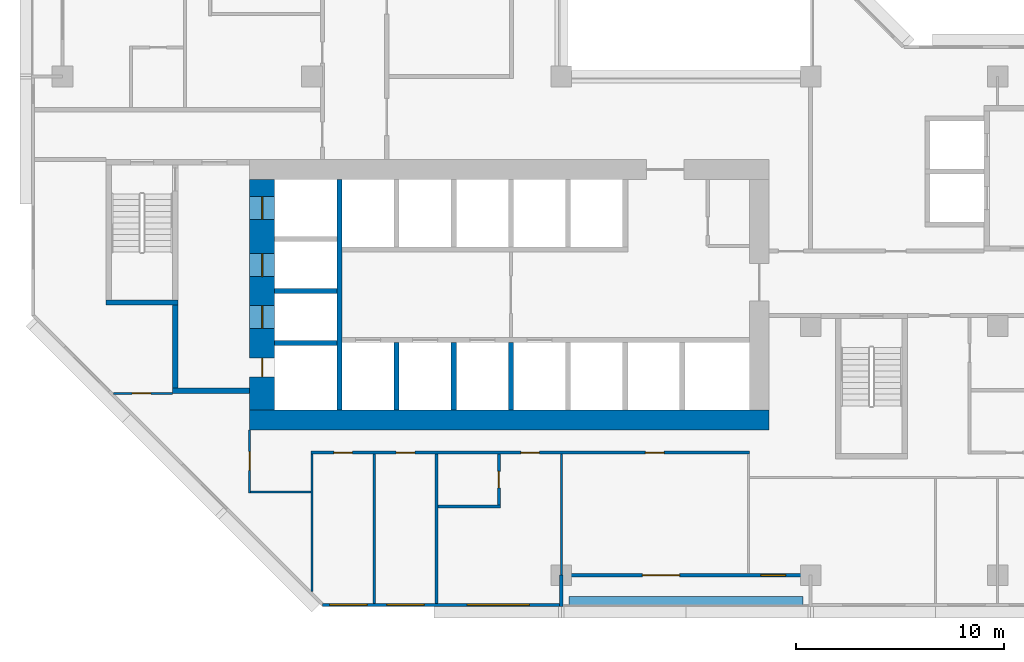
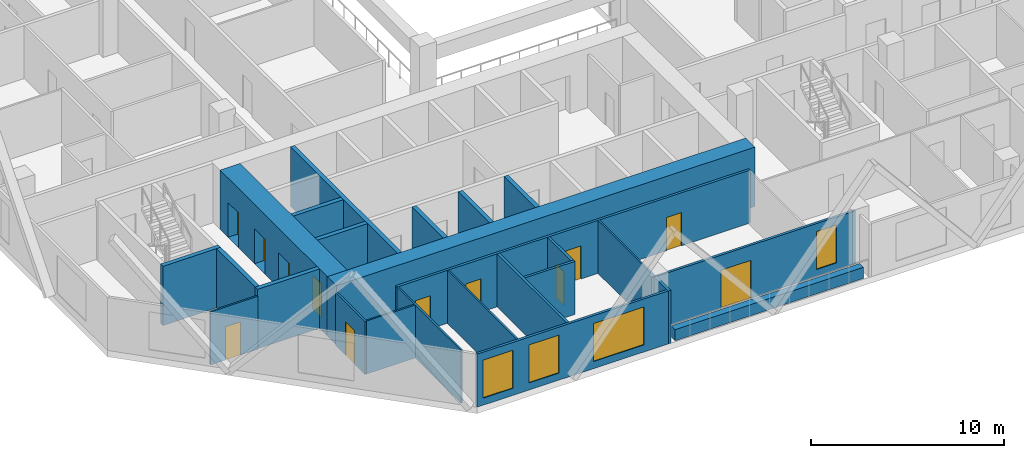
# One storey, part 4 of 15: 25 walls, 12 doors, 4 windows, 16 openings.
"""IFC4 building model written with IfcOpenShell, lengths in metres."""

import ifcopenshell
import ifcopenshell.guid

model = None  # the IFC model being written
_history = None  # IfcOwnerHistory: only IFC2X3 demands one
_inside = {}  # id of a spatial element -> (the spatial element, [elements in it])
_under = {}  # id of a project, library or spatial element -> (it, [spatial elements below it])
_declared = {}  # id of a project -> (the project, [libraries it declares])
_typed = {}  # id of a type object -> (the type object, [elements of that type])
_made_of = {}  # id of a material, layer set ... -> (it, [elements and type objects made of it])


def new_model(schema):
    """Start an empty IFC model of exactly this schema.

    Asked for "IFC4X3", IfcOpenShell would pick the latest addendum, in which some entities
    have other attributes; the version numbers below select the first issue.
    IFC2X3 requires an IfcOwnerHistory on every rooted entity: one is made here for all.
    """
    global model, _history
    if schema == "IFC4X3":
        model = ifcopenshell.file(schema_version=(4, 3, 0, 0))
    else:
        model = ifcopenshell.file(schema=schema)
    _inside.clear()
    _under.clear()
    _declared.clear()
    _typed.clear()
    _made_of.clear()
    _history = None
    if model.schema == "IFC2X3":
        org = make("IfcOrganization", Name="unknown")
        user = make(
            "IfcPersonAndOrganization",
            ThePerson=make("IfcPerson", FamilyName="unknown"),
            TheOrganization=org,
        )
        app = make(
            "IfcApplication",
            ApplicationDeveloper=org,
            Version="unknown",
            ApplicationFullName="unknown",
            ApplicationIdentifier="unknown",
        )
        _history = make(
            "IfcOwnerHistory",
            OwningUser=user,
            OwningApplication=app,
            ChangeAction="ADDED",
            CreationDate=0,
        )
    return model


def make(cls, **values):
    """One entity of the class cls with the attributes given. An attribute that is None is left unset."""
    return model.create_entity(
        cls, **{name: value for name, value in values.items() if value is not None}
    )


def rooted(cls, **values):
    """An entity with a GlobalId (a new one), such as an element, a storey or a relation."""
    return make(cls, GlobalId=ifcopenshell.guid.new(), OwnerHistory=_history, **values)


def si_unit(unit_type, name, prefix=None):
    """IfcSIUnit, for example si_unit("LENGTHUNIT", "METRE", prefix="MILLI")."""
    return make("IfcSIUnit", UnitType=unit_type, Prefix=prefix, Name=name)


def assignment(units):
    """IfcUnitAssignment: the units of a project."""
    return None if units is None else make("IfcUnitAssignment", Units=units)


def point(xyz):
    """IfcCartesianPoint."""
    return None if xyz is None else make("IfcCartesianPoint", Coordinates=xyz)


def direction(xyz):
    """IfcDirection."""
    return None if xyz is None else make("IfcDirection", DirectionRatios=xyz)


def frame(location, z_axis=None, x_axis=None):
    """IfcAxis2Placement3D, a coordinate frame: its origin and axes. An axis left out is left unset."""
    return make(
        "IfcAxis2Placement3D",
        Location=point(location),
        Axis=direction(z_axis),
        RefDirection=direction(x_axis),
    )


def frame_2d(location, x_axis=None):
    """IfcAxis2Placement2D, a coordinate frame in the plane: its origin and x axis."""
    return make(
        "IfcAxis2Placement2D", Location=point(location), RefDirection=direction(x_axis)
    )


def origin():
    """The frame at (0, 0, 0) with its axes left unset."""
    return frame((0.0, 0.0, 0.0))


def place(relative_to, where):
    """IfcLocalPlacement: puts the frame where relative to a parent placement (None: the world)."""
    return make(
        "IfcLocalPlacement", PlacementRelTo=relative_to, RelativePlacement=where
    )


def context(
    kind, dimensions, precision=None, world=None, true_north=None, identifier=None
):
    """IfcGeometricRepresentationContext, for example the 3D "Model" context."""
    return make(
        "IfcGeometricRepresentationContext",
        ContextIdentifier=identifier,
        ContextType=kind,
        CoordinateSpaceDimension=dimensions,
        Precision=precision,
        WorldCoordinateSystem=world,
        TrueNorth=true_north,
    )


def subcontext(parent, identifier, kind, view, scale=None):
    """IfcGeometricRepresentationSubContext, for example "Body" below "Model"."""
    return make(
        "IfcGeometricRepresentationSubContext",
        ContextIdentifier=identifier,
        ContextType=kind,
        ParentContext=parent,
        TargetScale=scale,
        TargetView=view,
    )


def project(units=None, contexts=None):
    """IfcProject with its units and contexts."""
    return rooted(
        "IfcProject",
        Name="project",
        RepresentationContexts=contexts,
        UnitsInContext=assignment(units),
    )


def spatial(cls, under=None, at=None, **own):
    """A site, building, storey or space (cls), placed at a placement, below another one or the project."""
    s = rooted(cls, ObjectPlacement=at, **own)
    if under is not None:
        _under.setdefault(under.id(), (under, []))[1].append(s)
    return s


def profile(cls, at=None, kind="AREA", **sizes):
    """A parametric profile (cls). Its sizes go by their IFC names, for example OverallWidth=200.0."""
    return make(cls, ProfileType=kind, Position=at, **sizes)


def rectangle(**sizes):
    """IfcRectangleProfileDef."""
    return profile("IfcRectangleProfileDef", **sizes)


def extrude(swept, where, along, depth):
    """IfcExtrudedAreaSolid: the profile swept, set in the frame where, extruded along a direction by depth."""
    return make(
        "IfcExtrudedAreaSolid",
        SweptArea=swept,
        Position=where,
        ExtrudedDirection=direction(along),
        Depth=depth,
    )


def shape(context_of_items, identifier, shape_type, items):
    """IfcShapeRepresentation: the items that make up one representation, for example the "Body"."""
    return make(
        "IfcShapeRepresentation",
        ContextOfItems=context_of_items,
        RepresentationIdentifier=identifier,
        RepresentationType=shape_type,
        Items=items,
    )


def material(Name=None, Category=None):
    """IfcMaterial."""
    return make("IfcMaterial", Name=Name, Category=Category)


def layer(
    of_material, thickness, ventilated=None, Name=None, Category=None, Priority=None
):
    """IfcMaterialLayer: one layer of a wall or slab, of a material (None: an air gap)."""
    return make(
        "IfcMaterialLayer",
        Material=of_material,
        LayerThickness=thickness,
        IsVentilated=ventilated,
        Name=Name,
        Category=Category,
        Priority=Priority,
    )


def layer_set(layers, Name=None):
    """IfcMaterialLayerSet."""
    return make("IfcMaterialLayerSet", MaterialLayers=layers, LayerSetName=Name)


def made_of(thing, what):
    """Note that an element or type object is made of a material, layer set ...; save() writes the relation."""
    if what is not None:
        _made_of.setdefault(what.id(), (what, []))[1].append(thing)
    return thing


def type_object(cls, material=None, **own):
    """A type object (cls), such as IfcWallType, which elements share."""
    return made_of(rooted(cls, **own), material)


def element(
    cls,
    number,
    at=None,
    inside=None,
    cuts=None,
    type_object=None,
    material=None,
    context=None,
    identifier="Body",
    shape_type=None,
    held_by="IfcProductDefinitionShape",
    body=None,
    shapes=None,
    **own,
):
    """One element of the class cls, such as IfcWall. Its Tag is "e" and its number.

    at: its placement. inside: the storey or other place that contains it. cuts: it is an
    opening in that element (IfcRelVoidsElement). A single representation is given by context,
    identifier, shape_type and body (its items); several are given by shapes. held_by: the class
    of the entity that holds the representations. save() writes the other relations.
    """
    e = rooted(cls, Tag="e%d" % number, ObjectPlacement=at, **own)
    if body is not None:
        shapes = [shape(context, identifier, shape_type, body)]
    if shapes is not None:
        e.Representation = make(held_by, Representations=shapes)
    if inside is not None:
        _inside.setdefault(inside.id(), (inside, []))[1].append(e)
    if cuts is not None:
        rooted(
            "IfcRelVoidsElement", RelatingBuildingElement=cuts, RelatedOpeningElement=e
        )
    if type_object is not None:
        _typed.setdefault(type_object.id(), (type_object, []))[1].append(e)
    return made_of(e, material)


def fill(opening, filler):
    """IfcRelFillsElement: the door or window that sits in an opening."""
    return rooted(
        "IfcRelFillsElement",
        RelatingOpeningElement=opening,
        RelatedBuildingElement=filler,
    )


def aggregate(whole, parts):
    """IfcRelAggregates: a whole, such as a stair, and the parts it consists of."""
    return rooted("IfcRelAggregates", RelatingObject=whole, RelatedObjects=parts)


def save(model, path):
    """Write the relations noted so far, then the file.

    IfcRelAggregates (storeys below a building ...), IfcRelContainedInSpatialStructure (elements
    in a storey), IfcRelDefinesByType, IfcRelAssociatesMaterial and IfcRelDeclares: one each for
    every whole, place, type object, material and project.
    """
    for whole, parts in _under.values():
        aggregate(whole, parts)
    for where, things in _inside.values():
        rooted(
            "IfcRelContainedInSpatialStructure",
            RelatedElements=things,
            RelatingStructure=where,
        )
    for kind, things in _typed.values():
        rooted("IfcRelDefinesByType", RelatedObjects=things, RelatingType=kind)
    for what, things in _made_of.values():
        rooted("IfcRelAssociatesMaterial", RelatedObjects=things, RelatingMaterial=what)
    for by, libraries in _declared.values():
        rooted("IfcRelDeclares", RelatingContext=by, RelatedDefinitions=libraries)
    model.write(path)


model = new_model("IFC4")

# Units and contexts
model_context = context("Model", 3, precision=1e-05, world=origin(), true_north=direction((0.0, 1.0)))
body_context = subcontext(model_context, "Body", "Model", "MODEL_VIEW")
ifc_project = project(units=[si_unit("LENGTHUNIT", "METRE"), si_unit("AREAUNIT", "SQUARE_METRE"), si_unit("VOLUMEUNIT", "CUBIC_METRE"), si_unit("PLANEANGLEUNIT", "RADIAN"), si_unit("MASSUNIT", "GRAM", prefix="KILO")], contexts=[model_context])

# Site, building, storey
site_placement = place(None, origin())
site = spatial("IfcSite", under=ifc_project, at=site_placement, CompositionType="ELEMENT")
building_placement = place(site_placement, origin())
building = spatial("IfcBuilding", under=site, at=building_placement, Name="Chenar Terraces", CompositionType="ELEMENT")
storey_placement = place(building_placement, frame((0.0, 0.0, 106.89990234375)))
storey = spatial("IfcBuildingStorey", under=building, at=storey_placement, Name="L24", CompositionType="ELEMENT", Elevation=106.89990234375)

# Wall, openings, doors
ifc_material_1 = material(Name="Concrete C70/85", Category="concrete")
ifc_layer_1 = layer(ifc_material_1, 1.199951171875)
ifc_layer_set_1 = layer_set([ifc_layer_1], Name="Concrete C70/85")
wall_type_1 = type_object("IfcWallType", Name="Core wall 1200 Concrete C70/85", PredefinedType="SHEAR", material=ifc_layer_set_1)
wall_1_placement = place(storey_placement, frame((9.60009765625, 7.949951171875, 0.0), z_axis=(0.0, 0.0, 1.0), x_axis=(0.0, 1.0, 0.0)))
wall_1 = element("IfcWall", 1, at=wall_1_placement, inside=storey, type_object=wall_type_1, Name="Core wall W L24", PredefinedType="SHEAR", context=body_context, shape_type="SweptSolid", body=[
    extrude(rectangle(XDim=11.10009765625, YDim=1.199951171875, at=frame_2d((5.550048828125, 0.0))), origin(), (0.0, 0.0, 1.0), 3.75),
])
opening_1_placement = place(wall_1_placement, frame((3.925048828125, 0.0, 0.0)))
opening_1 = element("IfcOpeningElement", 2, at=opening_1_placement, cuts=wall_1, Name="Opening DL24-LD5", PredefinedType="OPENING", context=body_context, shape_type="SweptSolid", body=[
    extrude(rectangle(XDim=1.10009765625, YDim=2.199951171875, at=frame_2d((0.550048828125, 1.10009765625))), frame((0.0, 0.60986328125, 0.0), z_axis=(0.0, -1.0, 0.0), x_axis=(1.0, 0.0, 0.0)), (0.0, 0.0, 1.0), 1.219970703125),
])
opening_2_placement = place(wall_1_placement, frame((6.425048828125, 0.0, 0.0)))
opening_2 = element("IfcOpeningElement", 3, at=opening_2_placement, cuts=wall_1, Name="Opening DL24-LD6", PredefinedType="OPENING", context=body_context, shape_type="SweptSolid", body=[
    extrude(rectangle(XDim=1.10009765625, YDim=2.199951171875, at=frame_2d((0.550048828125, 1.10009765625))), frame((0.0, 0.60986328125, 0.0), z_axis=(0.0, -1.0, 0.0), x_axis=(1.0, 0.0, 0.0)), (0.0, 0.0, 1.0), 1.219970703125),
])
opening_3_placement = place(wall_1_placement, frame((9.175048828125, 0.0, 0.0)))
opening_3 = element("IfcOpeningElement", 4, at=opening_3_placement, cuts=wall_1, Name="Opening DL24-LD7", PredefinedType="OPENING", context=body_context, shape_type="SweptSolid", body=[
    extrude(rectangle(XDim=1.10009765625, YDim=2.199951171875, at=frame_2d((0.550048828125, 1.10009765625))), frame((0.0, 0.60986328125, 0.0), z_axis=(0.0, -1.0, 0.0), x_axis=(1.0, 0.0, 0.0)), (0.0, 0.0, 1.0), 1.219970703125),
])
opening_4_placement = place(wall_1_placement, frame((1.60009765625, 0.0, 0.0)))
opening_4 = element("IfcOpeningElement", 5, at=opening_4_placement, cuts=wall_1, Name="Opening DL24-C4", PredefinedType="OPENING", context=body_context, shape_type="SweptSolid", body=[
    extrude(rectangle(XDim=0.89990234375, YDim=2.10009765625, at=frame_2d((0.449951171875, 1.050048828125))), frame((0.0, 0.60986328125, 0.0), z_axis=(0.0, -1.0, 0.0), x_axis=(1.0, 0.0, 0.0)), (0.0, 0.0, 1.0), 1.219970703125),
])
ifc_material_2 = material(Name="Stainless steel", Category="steel")
door_type_1 = type_object("IfcDoorType", Name="Lift landing door 1100 x 2200 sliding", OperationType="DOUBLE_DOOR_SLIDING", PredefinedType="DOOR", material=ifc_material_2)
door_1_placement = place(opening_1_placement, origin())
door_1 = element("IfcDoor", 6, at=door_1_placement, inside=storey, type_object=door_type_1, Name="Landing door S1", OperationType="DOUBLE_DOOR_SLIDING", OverallHeight=2.199951171875, OverallWidth=1.10009765625, PredefinedType="DOOR", context=body_context, shape_type="SweptSolid", body=[
    extrude(rectangle(XDim=1.10009765625, YDim=2.199951171875, at=frame_2d((0.550048828125, 1.10009765625))), frame((0.0, 0.02490234375, 0.0), z_axis=(0.0, -1.0, 0.0), x_axis=(1.0, 0.0, 0.0)), (0.0, 0.0, 1.0), 0.050048828125),
])
fill(opening_1, door_1)
door_2_placement = place(opening_2_placement, origin())
door_2 = element("IfcDoor", 7, at=door_2_placement, inside=storey, type_object=door_type_1, Name="Landing door F1", OperationType="DOUBLE_DOOR_SLIDING", OverallHeight=2.199951171875, OverallWidth=1.10009765625, PredefinedType="DOOR", context=body_context, shape_type="SweptSolid", body=[
    extrude(rectangle(XDim=1.10009765625, YDim=2.199951171875, at=frame_2d((0.550048828125, 1.10009765625))), frame((0.0, 0.02490234375, 0.0), z_axis=(0.0, -1.0, 0.0), x_axis=(1.0, 0.0, 0.0)), (0.0, 0.0, 1.0), 0.050048828125),
])
fill(opening_2, door_2)
door_3_placement = place(opening_3_placement, origin())
door_3 = element("IfcDoor", 8, at=door_3_placement, inside=storey, type_object=door_type_1, Name="Landing door F2", OperationType="DOUBLE_DOOR_SLIDING", OverallHeight=2.199951171875, OverallWidth=1.10009765625, PredefinedType="DOOR", context=body_context, shape_type="SweptSolid", body=[
    extrude(rectangle(XDim=1.10009765625, YDim=2.199951171875, at=frame_2d((0.550048828125, 1.10009765625))), frame((0.0, 0.02490234375, 0.0), z_axis=(0.0, -1.0, 0.0), x_axis=(1.0, 0.0, 0.0)), (0.0, 0.0, 1.0), 0.050048828125),
])
fill(opening_3, door_3)
ifc_material_3 = material(Name="Steel-framed fire-resisting door leaf", Category="steel")
door_type_2 = type_object("IfcDoorType", Name="Riser fire door FD60 900 x 2100", OperationType="SINGLE_SWING_LEFT", PredefinedType="DOOR", material=ifc_material_3)
door_4_placement = place(opening_4_placement, frame((0.89990234375, 0.0, 0.0), z_axis=(0.0, 0.0, 1.0), x_axis=(-1.0, 0.0, 0.0)))
door_4 = element("IfcDoor", 9, at=door_4_placement, inside=storey, type_object=door_type_2, Name="Riser door DL24-C4", OperationType="SINGLE_SWING_LEFT", OverallHeight=2.10009765625, OverallWidth=0.89990234375, PredefinedType="DOOR", context=body_context, shape_type="SweptSolid", body=[
    extrude(rectangle(XDim=0.89990234375, YDim=2.10009765625, at=frame_2d((0.449951171875, 1.050048828125))), frame((0.0, 0.02490234375, 0.0), z_axis=(0.0, -1.0, 0.0), x_axis=(1.0, 0.0, 0.0)), (0.0, 0.0, 1.0), 0.050048828125),
])
fill(opening_4, door_4)

# Walls
ifc_material_4 = material(Name="Concrete C70/85", Category="concrete")
ifc_layer_2 = layer(ifc_material_4, 0.25)
ifc_layer_set_2 = layer_set([ifc_layer_2], Name="Concrete C70/85")
wall_type_2 = type_object("IfcWallType", Name="Core wall 250 Concrete C70/85", PredefinedType="SHEAR", material=ifc_layer_set_2)
wall_2_placement = place(storey_placement, frame((13.324951171875, 7.949951171875, 0.0), z_axis=(0.0, 0.0, 1.0), x_axis=(0.0, 1.0, 0.0)))
element("IfcWall", 10, at=wall_2_placement, inside=storey, type_object=wall_type_2, Name="Core wall WI L24", PredefinedType="SHEAR", context=body_context, shape_type="SweptSolid", body=[
    extrude(rectangle(XDim=11.10009765625, YDim=0.25, at=frame_2d((5.550048828125, 0.0))), origin(), (0.0, 0.0, 1.0), 3.75),
])
for number, where, z_axis, x_axis, name in (
    (11, (10.199951171875, 11.175048828125, 0.0), (0.0, 0.0, 1.0), (1.0, 0.0, 0.0), "Core wall HW0 L24"),
    (12, (10.199951171875, 13.675048828125, 0.0), (0.0, 0.0, 1.0), (1.0, 0.0, 0.0), "Core wall HW1 L24"),
):
    element("IfcWall", number, at=place(storey_placement, frame(where, z_axis=z_axis, x_axis=x_axis)), inside=storey, type_object=wall_type_2, Name=name, PredefinedType="SHEAR", context=body_context, shape_type="SweptSolid", body=[
        extrude(rectangle(XDim=3.0, YDim=0.25, at=frame_2d((1.5, 0.0))), origin(), (0.0, 0.0, 1.0), 3.75),
    ])
for number, where, z_axis, x_axis, name in (
    (13, (16.074951171875, 7.949951171875, 0.0), (0.0, 0.0, 1.0), (0.0, 1.0, 0.0), "Core wall SS0 L24"),
    (14, (18.824951171875, 7.949951171875, 0.0), (0.0, 0.0, 1.0), (0.0, 1.0, 0.0), "Core wall SS1 L24"),
    (15, (21.574951171875, 7.949951171875, 0.0), (0.0, 0.0, 1.0), (0.0, 1.0, 0.0), "Core wall SS2 L24"),
):
    element("IfcWall", number, at=place(storey_placement, frame(where, z_axis=z_axis, x_axis=x_axis)), inside=storey, type_object=wall_type_2, Name=name, PredefinedType="SHEAR", context=body_context, shape_type="SweptSolid", body=[
        extrude(rectangle(XDim=3.25, YDim=0.25, at=frame_2d((1.625, 0.0))), origin(), (0.0, 0.0, 1.0), 3.75),
    ])
wall_3_placement = place(storey_placement, frame((2.10009765625, 13.125, 0.0), z_axis=(0.0, 0.0, 1.0), x_axis=(1.0, 0.0, 0.0)))
element("IfcWall", 16, at=wall_3_placement, inside=storey, type_object=wall_type_2, Name="Core wall ST1_S L24", PredefinedType="SHEAR", context=body_context, shape_type="SweptSolid", body=[
    extrude(rectangle(XDim=3.449951171875, YDim=0.25, at=frame_2d((1.72509765625, 0.0))), origin(), (0.0, 0.0, 1.0), 3.75),
])
wall_4_placement = place(storey_placement, frame((5.300048828125, 8.875, 0.0), z_axis=(0.0, 0.0, 1.0), x_axis=(1.0, 0.0, 0.0)))
element("IfcWall", 17, at=wall_4_placement, inside=storey, type_object=wall_type_2, Name="Core wall FFL_S L24", PredefinedType="SHEAR", context=body_context, shape_type="SweptSolid", body=[
    extrude(rectangle(XDim=3.699951171875, YDim=0.25, at=frame_2d((1.85009765625, 0.0))), origin(), (0.0, 0.0, 1.0), 3.75),
])
wall_5_placement = place(storey_placement, frame((5.425048828125, 9.0, 0.0), z_axis=(0.0, 0.0, 1.0), x_axis=(0.0, 1.0, 0.0)))
element("IfcWall", 18, at=wall_5_placement, inside=storey, type_object=wall_type_2, Name="Core wall FFL_W L24", PredefinedType="SHEAR", context=body_context, shape_type="SweptSolid", body=[
    extrude(rectangle(XDim=4.0, YDim=0.25, at=frame_2d((2.0, 0.0))), origin(), (0.0, 0.0, 1.0), 3.75),
])
ifc_material_5 = material(Name="Concrete C70/85", Category="concrete")
ifc_layer_3 = layer(ifc_material_5, 0.949951171875)
ifc_layer_set_3 = layer_set([ifc_layer_3], Name="Concrete C70/85")
wall_type_3 = type_object("IfcWallType", Name="Core wall 950 Concrete C70/85", PredefinedType="SHEAR", material=ifc_layer_set_3)
wall_6_placement = place(storey_placement, frame((9.0, 7.47509765625, 0.0), z_axis=(0.0, 0.0, 1.0), x_axis=(1.0, 0.0, 0.0)))
element("IfcWall", 19, at=wall_6_placement, inside=storey, type_object=wall_type_3, Name="Core wall S L24", PredefinedType="SHEAR", context=body_context, shape_type="SweptSolid", body=[
    extrude(rectangle(XDim=25.0, YDim=0.949951171875, at=frame_2d((12.5, 0.0))), origin(), (0.0, 0.0, 1.0), 3.75),
])

# Wall, openings, windows
ifc_material_6 = material(Name="Aluminium framed glazing", Category="aluminium")
ifc_layer_4 = layer(ifc_material_6, 0.14990234375)
ifc_layer_set_4 = layer_set([ifc_layer_4], Name="Aluminium framed glazing")
wall_type_4 = type_object("IfcWallType", Name="Glazed flush facade wall 150", PredefinedType="SOLIDWALL", material=ifc_layer_set_4)
wall_7_placement = place(storey_placement, frame((12.5, -1.425048828125, 0.0), z_axis=(0.0, 0.0, 1.0), x_axis=(1.0, 0.0, 0.0)))
wall_7 = element("IfcWall", 20, at=wall_7_placement, inside=storey, type_object=wall_type_4, Name="Glazed flush facade wall", PredefinedType="SOLIDWALL", context=body_context, shape_type="SweptSolid", body=[
    extrude(rectangle(XDim=11.425048828125, YDim=0.14990234375, at=frame_2d((5.71240234375, 0.0))), origin(), (0.0, 0.0, 1.0), 3.35009765625),
])
opening_5_placement = place(wall_7_placement, frame((0.35009765625, 0.0, 0.449951171875)))
opening_5 = element("IfcOpeningElement", 21, at=opening_5_placement, cuts=wall_7, Name="Opening W180x240", PredefinedType="OPENING", context=body_context, shape_type="SweptSolid", body=[
    extrude(rectangle(XDim=1.800048828125, YDim=2.39990234375, at=frame_2d((0.89990234375, 1.199951171875))), frame((0.0, 0.0849609375, 0.0), z_axis=(0.0, -1.0, 0.0), x_axis=(1.0, 0.0, 0.0)), (0.0, 0.0, 1.0), 0.169921875),
])
opening_6_placement = place(wall_7_placement, frame((3.10009765625, 0.0, 0.449951171875)))
opening_6 = element("IfcOpeningElement", 22, at=opening_6_placement, cuts=wall_7, Name="Opening W180x240", PredefinedType="OPENING", context=body_context, shape_type="SweptSolid", body=[
    extrude(rectangle(XDim=1.800048828125, YDim=2.39990234375, at=frame_2d((0.89990234375, 1.199951171875))), frame((0.0, 0.0849609375, 0.0), z_axis=(0.0, -1.0, 0.0), x_axis=(1.0, 0.0, 0.0)), (0.0, 0.0, 1.0), 0.169921875),
])
opening_7_placement = place(wall_7_placement, frame((6.96240234375, 0.0, 0.449951171875)))
opening_7 = element("IfcOpeningElement", 23, at=opening_7_placement, cuts=wall_7, Name="Opening W300x240", PredefinedType="OPENING", context=body_context, shape_type="SweptSolid", body=[
    extrude(rectangle(XDim=3.0, YDim=2.39990234375, at=frame_2d((1.5, 1.199951171875))), frame((0.0, 0.0849609375, 0.0), z_axis=(0.0, -1.0, 0.0), x_axis=(1.0, 0.0, 0.0)), (0.0, 0.0, 1.0), 0.169921875),
])
ifc_material_7 = material(Name="Low emissivity double glazing, aluminium frame", Category="aluminium")
window_type_1 = type_object("IfcWindowType", Name="Fixed light 1800 x 2400", PartitioningType="SINGLE_PANEL", PredefinedType="WINDOW", material=ifc_material_7)
window_1_placement = place(opening_5_placement, origin())
window_1 = element("IfcWindow", 24, at=window_1_placement, inside=storey, type_object=window_type_1, Name="Window", OverallHeight=2.39990234375, OverallWidth=1.800048828125, PartitioningType="SINGLE_PANEL", PredefinedType="WINDOW", context=body_context, shape_type="SweptSolid", body=[
    extrude(rectangle(XDim=1.800048828125, YDim=2.39990234375, at=frame_2d((0.89990234375, 1.199951171875))), frame((0.0, 0.030029296875, 0.0), z_axis=(0.0, -1.0, 0.0), x_axis=(1.0, 0.0, 0.0)), (0.0, 0.0, 1.0), 0.06005859375),
])
fill(opening_5, window_1)
window_2_placement = place(opening_6_placement, origin())
window_2 = element("IfcWindow", 25, at=window_2_placement, inside=storey, type_object=window_type_1, Name="Window", OverallHeight=2.39990234375, OverallWidth=1.800048828125, PartitioningType="SINGLE_PANEL", PredefinedType="WINDOW", context=body_context, shape_type="SweptSolid", body=[
    extrude(rectangle(XDim=1.800048828125, YDim=2.39990234375, at=frame_2d((0.89990234375, 1.199951171875))), frame((0.0, 0.030029296875, 0.0), z_axis=(0.0, -1.0, 0.0), x_axis=(1.0, 0.0, 0.0)), (0.0, 0.0, 1.0), 0.06005859375),
])
fill(opening_6, window_2)
ifc_material_8 = material(Name="Low emissivity double glazing, aluminium frame", Category="aluminium")
window_type_2 = type_object("IfcWindowType", Name="Fixed light 3000 x 2400", PartitioningType="SINGLE_PANEL", PredefinedType="WINDOW", material=ifc_material_8)
window_3_placement = place(opening_7_placement, origin())
window_3 = element("IfcWindow", 26, at=window_3_placement, inside=storey, type_object=window_type_2, Name="Window", OverallHeight=2.39990234375, OverallWidth=3.0, PartitioningType="SINGLE_PANEL", PredefinedType="WINDOW", context=body_context, shape_type="SweptSolid", body=[
    extrude(rectangle(XDim=3.0, YDim=2.39990234375, at=frame_2d((1.5, 1.199951171875))), frame((0.0, 0.030029296875, 0.0), z_axis=(0.0, -1.0, 0.0), x_axis=(1.0, 0.0, 0.0)), (0.0, 0.0, 1.0), 0.06005859375),
])
fill(opening_7, window_3)

# Wall, openings, window, door
ifc_material_9 = material(Name="Aluminium framed glazing", Category="aluminium")
ifc_layer_5 = layer(ifc_material_9, 0.14990234375)
ifc_layer_set_5 = layer_set([ifc_layer_5], Name="Aluminium framed glazing")
wall_type_5 = type_object("IfcWallType", Name="Glazed loggia back wall 150", PredefinedType="SOLIDWALL", material=ifc_layer_set_5)
wall_8_placement = place(storey_placement, frame((24.074951171875, 0.0, 0.0), z_axis=(0.0, 0.0, 1.0), x_axis=(1.0, 0.0, 0.0)))
wall_8 = element("IfcWall", 27, at=wall_8_placement, inside=storey, type_object=wall_type_5, Name="Glazed loggia back wall", PredefinedType="SOLIDWALL", context=body_context, shape_type="SweptSolid", body=[
    extrude(rectangle(XDim=11.85009765625, YDim=0.14990234375, at=frame_2d((5.925048828125, 0.0))), origin(), (0.0, 0.0, 1.0), 3.35009765625),
])
opening_8_placement = place(wall_8_placement, frame((3.824951171875, 0.0, 0.0)))
opening_8 = element("IfcOpeningElement", 28, at=opening_8_placement, cuts=wall_8, Name="Opening DL24-G6", PredefinedType="OPENING", context=body_context, shape_type="SweptSolid", body=[
    extrude(rectangle(XDim=1.800048828125, YDim=2.39990234375, at=frame_2d((0.89990234375, 1.199951171875))), frame((0.0, 0.0849609375, 0.0), z_axis=(0.0, -1.0, 0.0), x_axis=(1.0, 0.0, 0.0)), (0.0, 0.0, 1.0), 0.169921875),
])
opening_9_placement = place(wall_8_placement, frame((9.52490234375, 0.0, 0.449951171875)))
opening_9 = element("IfcOpeningElement", 29, at=opening_9_placement, cuts=wall_8, Name="Opening W120x240", PredefinedType="OPENING", context=body_context, shape_type="SweptSolid", body=[
    extrude(rectangle(XDim=1.199951171875, YDim=2.39990234375, at=frame_2d((0.60009765625, 1.199951171875))), frame((0.0, 0.0849609375, 0.0), z_axis=(0.0, -1.0, 0.0), x_axis=(1.0, 0.0, 0.0)), (0.0, 0.0, 1.0), 0.169921875),
])
ifc_material_10 = material(Name="Low emissivity double glazing, aluminium frame", Category="aluminium")
window_type_3 = type_object("IfcWindowType", Name="Fixed light 1200 x 2400", PartitioningType="SINGLE_PANEL", PredefinedType="WINDOW", material=ifc_material_10)
window_4_placement = place(opening_9_placement, origin())
window_4 = element("IfcWindow", 30, at=window_4_placement, inside=storey, type_object=window_type_3, Name="Window", OverallHeight=2.39990234375, OverallWidth=1.199951171875, PartitioningType="SINGLE_PANEL", PredefinedType="WINDOW", context=body_context, shape_type="SweptSolid", body=[
    extrude(rectangle(XDim=1.199951171875, YDim=2.39990234375, at=frame_2d((0.60009765625, 1.199951171875))), frame((0.0, 0.030029296875, 0.0), z_axis=(0.0, -1.0, 0.0), x_axis=(1.0, 0.0, 0.0)), (0.0, 0.0, 1.0), 0.06005859375),
])
fill(opening_9, window_4)
ifc_material_11 = material(Name="Low emissivity double glazing, aluminium frame", Category="aluminium")
door_type_3 = type_object("IfcDoorType", Name="Loggia glazed double door 1800 x 2400", OperationType="DOUBLE_DOOR_SINGLE_SWING", PredefinedType="DOOR", material=ifc_material_11)
door_5_placement = place(opening_8_placement, frame((1.800048828125, 0.0, 0.0), z_axis=(0.0, 0.0, 1.0), x_axis=(-1.0, 0.0, 0.0)))
door_5 = element("IfcDoor", 31, at=door_5_placement, inside=storey, type_object=door_type_3, Name="Loggia glazed door", OperationType="DOUBLE_DOOR_SINGLE_SWING", OverallHeight=2.39990234375, OverallWidth=1.800048828125, PredefinedType="DOOR", context=body_context, shape_type="SweptSolid", body=[
    extrude(rectangle(XDim=1.800048828125, YDim=2.39990234375, at=frame_2d((0.89990234375, 1.199951171875))), frame((0.0, 0.02490234375, 0.0), z_axis=(0.0, -1.0, 0.0), x_axis=(1.0, 0.0, 0.0)), (0.0, 0.0, 1.0), 0.050048828125),
])
fill(opening_8, door_5)

# Wall, opening, door
ifc_material_12 = material(Name="Gypsum board on steel studs", Category="steel")
ifc_layer_6 = layer(ifc_material_12, 0.10009765625)
ifc_layer_set_6 = layer_set([ifc_layer_6], Name="Gypsum board on steel studs")
wall_type_6 = type_object("IfcWallType", Name="Gypsum partition 100", PredefinedType="PARTITIONING", material=ifc_layer_set_6)
wall_9_placement = place(storey_placement, frame((2.4609375, 8.75, 0.0), z_axis=(0.0, 0.0, 1.0), x_axis=(1.0, 0.0, 0.0)))
wall_9 = element("IfcWall", 32, at=wall_9_placement, inside=storey, type_object=wall_type_6, Name="Partition L24-010", PredefinedType="PARTITIONING", context=body_context, shape_type="SweptSolid", body=[
    extrude(rectangle(XDim=2.839111328125, YDim=0.10009765625, at=frame_2d((1.41943359375, 0.0))), origin(), (0.0, 0.0, 1.0), 3.35009765625),
])
opening_10_placement = place(wall_9_placement, frame((0.888916015625, 0.0, 0.0)))
opening_10 = element("IfcOpeningElement", 33, at=opening_10_placement, cuts=wall_9, Name="Opening DL24-57", PredefinedType="OPENING", context=body_context, shape_type="SweptSolid", body=[
    extrude(rectangle(XDim=0.89990234375, YDim=2.10009765625, at=frame_2d((0.449951171875, 1.050048828125))), frame((0.0, 0.06005859375, 0.0), z_axis=(0.0, -1.0, 0.0), x_axis=(1.0, 0.0, 0.0)), (0.0, 0.0, 1.0), 0.1201171875),
])
ifc_material_13 = material(Name="Veneered timber door leaf", Category="wood")
door_type_4 = type_object("IfcDoorType", Name="Door 900 x 2100", OperationType="SINGLE_SWING_LEFT", PredefinedType="DOOR", material=ifc_material_13)
door_6_placement = place(opening_10_placement, frame((0.89990234375, 0.0, 0.0), z_axis=(0.0, 0.0, 1.0), x_axis=(-1.0, 0.0, 0.0)))
door_6 = element("IfcDoor", 34, at=door_6_placement, inside=storey, type_object=door_type_4, Name="Door DL24-57", OperationType="SINGLE_SWING_RIGHT", OverallHeight=2.10009765625, OverallWidth=0.89990234375, PredefinedType="DOOR", context=body_context, shape_type="SweptSolid", body=[
    extrude(rectangle(XDim=0.89990234375, YDim=2.10009765625, at=frame_2d((0.449951171875, 1.050048828125))), frame((0.0, 0.02490234375, 0.0), z_axis=(0.0, -1.0, 0.0), x_axis=(1.0, 0.0, 0.0)), (0.0, 0.0, 1.0), 0.050048828125),
])
fill(opening_10, door_6)

wall_10_placement = place(storey_placement, frame((9.0, 3.949951171875, 0.0), z_axis=(0.0, 0.0, 1.0), x_axis=(0.0, 1.0, 0.0)))
wall_10 = element("IfcWall", 35, at=wall_10_placement, inside=storey, type_object=wall_type_6, Name="Partition L24-030", PredefinedType="PARTITIONING", context=body_context, shape_type="SweptSolid", body=[
    extrude(rectangle(XDim=3.050048828125, YDim=0.10009765625, at=frame_2d((1.52490234375, 0.0))), origin(), (0.0, 0.0, 1.0), 3.35009765625),
])
opening_11_placement = place(wall_10_placement, frame((1.10009765625, 0.0, 0.0)))
opening_11 = element("IfcOpeningElement", 36, at=opening_11_placement, cuts=wall_10, Name="Opening DL24-56", PredefinedType="OPENING", context=body_context, shape_type="SweptSolid", body=[
    extrude(rectangle(XDim=0.89990234375, YDim=2.10009765625, at=frame_2d((0.449951171875, 1.050048828125))), frame((0.0, 0.06005859375, 0.0), z_axis=(0.0, -1.0, 0.0), x_axis=(1.0, 0.0, 0.0)), (0.0, 0.0, 1.0), 0.1201171875),
])
door_7_placement = place(opening_11_placement, origin())
door_7 = element("IfcDoor", 37, at=door_7_placement, inside=storey, type_object=door_type_4, Name="Door DL24-56", OperationType="SINGLE_SWING_LEFT", OverallHeight=2.10009765625, OverallWidth=0.89990234375, PredefinedType="DOOR", context=body_context, shape_type="SweptSolid", body=[
    extrude(rectangle(XDim=0.89990234375, YDim=2.10009765625, at=frame_2d((0.449951171875, 1.050048828125))), frame((0.0, 0.02490234375, 0.0), z_axis=(0.0, -1.0, 0.0), x_axis=(1.0, 0.0, 0.0)), (0.0, 0.0, 1.0), 0.050048828125),
])
fill(opening_11, door_7)

# Walls
wall_11_placement = place(storey_placement, frame((9.050048828125, 4.0, 0.0), z_axis=(0.0, 0.0, 1.0), x_axis=(1.0, 0.0, 0.0)))
element("IfcWall", 38, at=wall_11_placement, inside=storey, type_object=wall_type_6, Name="Partition L24-031", PredefinedType="PARTITIONING", context=body_context, shape_type="SweptSolid", body=[
    extrude(rectangle(XDim=2.89990234375, YDim=0.10009765625, at=frame_2d((1.449951171875, 0.0))), origin(), (0.0, 0.0, 1.0), 3.35009765625),
])
wall_12_placement = place(storey_placement, frame((12.0, -0.787841796875, 0.0), z_axis=(0.0, 0.0, 1.0), x_axis=(0.0, 1.0, 0.0)))
element("IfcWall", 39, at=wall_12_placement, inside=storey, type_object=wall_type_6, Name="Partition L24-033", PredefinedType="PARTITIONING", context=body_context, shape_type="SweptSolid", body=[
    extrude(rectangle(XDim=6.61279296875, YDim=0.10009765625, at=frame_2d((3.306396484375, 0.0))), origin(), (0.0, 0.0, 1.0), 3.35009765625),
])
wall_13_placement = place(storey_placement, frame((15.0, -1.35107421875, 0.0), z_axis=(0.0, 0.0, 1.0), x_axis=(0.0, 1.0, 0.0)))
element("IfcWall", 40, at=wall_13_placement, inside=storey, type_object=wall_type_6, Name="Partition L24-035", PredefinedType="PARTITIONING", context=body_context, shape_type="SweptSolid", body=[
    extrude(rectangle(XDim=7.176025390625, YDim=0.10009765625, at=frame_2d((3.587890625, 0.0))), origin(), (0.0, 0.0, 1.0), 3.35009765625),
])
wall_14_placement = place(storey_placement, frame((24.0, 0.0, 0.0), z_axis=(0.0, 0.0, 1.0), x_axis=(0.0, 1.0, 0.0)))
element("IfcWall", 41, at=wall_14_placement, inside=storey, type_object=wall_type_6, Name="Partition L24-058", PredefinedType="PARTITIONING", context=body_context, shape_type="SweptSolid", body=[
    extrude(rectangle(XDim=5.824951171875, YDim=0.10009765625, at=frame_2d((2.91259765625, 0.0))), origin(), (0.0, 0.0, 1.0), 3.35009765625),
])
ifc_material_14 = material(Name="Terracotta cladding on insulated backing", Category="masonry")
ifc_layer_7 = layer(ifc_material_14, 0.14990234375)
ifc_layer_set_7 = layer_set([ifc_layer_7], Name="Terracotta cladding on insulated backing")
wall_type_7 = type_object("IfcWallType", Name="Loggia return wall 150", PredefinedType="SOLIDWALL", material=ifc_layer_set_7)
wall_15_placement = place(storey_placement, frame((24.0, -1.5, 0.0), z_axis=(0.0, 0.0, 1.0), x_axis=(0.0, 1.0, 0.0)))
element("IfcWall", 42, at=wall_15_placement, inside=storey, type_object=wall_type_7, Name="Loggia return wall", PredefinedType="SOLIDWALL", context=body_context, shape_type="SweptSolid", body=[
    extrude(rectangle(XDim=1.5, YDim=0.14990234375, at=frame_2d((0.75, 0.0))), origin(), (0.0, 0.0, 1.0), 3.35009765625),
])
ifc_material_15 = material(Name="GRP planter trough")
ifc_layer_8 = layer(ifc_material_15, 0.39990234375)
ifc_layer_set_8 = layer_set([ifc_layer_8], Name="GRP planter trough")
wall_type_8 = type_object("IfcWallType", Name="Vertical greenery planter 400", PredefinedType="SOLIDWALL", material=ifc_layer_set_8)
wall_16_placement = place(storey_placement, frame((24.375, -1.22900390625, 0.0), z_axis=(0.0, 0.0, 1.0), x_axis=(1.0, 0.0, 0.0)))
element("IfcWall", 43, at=wall_16_placement, inside=storey, type_object=wall_type_8, Name="Vertical greenery planter", PredefinedType="SOLIDWALL", context=body_context, shape_type="SweptSolid", body=[
    extrude(rectangle(XDim=11.25, YDim=0.39990234375, at=frame_2d((5.625, 0.0))), origin(), (0.0, 0.0, 1.0), 0.7001953125),
])

# Wall, openings, doors
ifc_material_16 = material(Name="Moisture-resistant gypsum board on steel studs", Category="steel")
ifc_layer_9 = layer(ifc_material_16, 0.14990234375)
ifc_layer_set_9 = layer_set([ifc_layer_9], Name="Moisture-resistant gypsum board on steel studs")
wall_type_9 = type_object("IfcWallType", Name="Wet-room partition 150", PredefinedType="PARTITIONING", material=ifc_layer_set_9)
wall_17_placement = place(storey_placement, frame((11.949951171875, 5.89990234375, 0.0), z_axis=(0.0, 0.0, 1.0), x_axis=(1.0, 0.0, 0.0)))
wall_17 = element("IfcWall", 44, at=wall_17_placement, inside=storey, type_object=wall_type_9, Name="Partition L24-032", PredefinedType="PARTITIONING", context=body_context, shape_type="SweptSolid", body=[
    extrude(rectangle(XDim=21.10009765625, YDim=0.14990234375, at=frame_2d((10.550048828125, 0.0))), origin(), (0.0, 0.0, 1.0), 3.35009765625),
])
opening_12_placement = place(wall_17_placement, frame((1.10009765625, 0.0, 0.0)))
opening_12 = element("IfcOpeningElement", 45, at=opening_12_placement, cuts=wall_17, Name="Opening DL24-52", PredefinedType="OPENING", context=body_context, shape_type="SweptSolid", body=[
    extrude(rectangle(XDim=0.89990234375, YDim=2.10009765625, at=frame_2d((0.449951171875, 1.050048828125))), frame((0.0, 0.0849609375, 0.0), z_axis=(0.0, -1.0, 0.0), x_axis=(1.0, 0.0, 0.0)), (0.0, 0.0, 1.0), 0.169921875),
])
opening_13_placement = place(wall_17_placement, frame((4.10009765625, 0.0, 0.0)))
opening_13 = element("IfcOpeningElement", 46, at=opening_13_placement, cuts=wall_17, Name="Opening DL24-53", PredefinedType="OPENING", context=body_context, shape_type="SweptSolid", body=[
    extrude(rectangle(XDim=0.89990234375, YDim=2.10009765625, at=frame_2d((0.449951171875, 1.050048828125))), frame((0.0, 0.0849609375, 0.0), z_axis=(0.0, -1.0, 0.0), x_axis=(1.0, 0.0, 0.0)), (0.0, 0.0, 1.0), 0.169921875),
])
opening_14_placement = place(wall_17_placement, frame((10.10009765625, 0.0, 0.0)))
opening_14 = element("IfcOpeningElement", 47, at=opening_14_placement, cuts=wall_17, Name="Opening DL24-58", PredefinedType="OPENING", context=body_context, shape_type="SweptSolid", body=[
    extrude(rectangle(XDim=0.89990234375, YDim=2.10009765625, at=frame_2d((0.449951171875, 1.050048828125))), frame((0.0, 0.0849609375, 0.0), z_axis=(0.0, -1.0, 0.0), x_axis=(1.0, 0.0, 0.0)), (0.0, 0.0, 1.0), 0.169921875),
])
opening_15_placement = place(wall_17_placement, frame((16.10009765625, 0.0, 0.0)))
opening_15 = element("IfcOpeningElement", 48, at=opening_15_placement, cuts=wall_17, Name="Opening DL24-62", PredefinedType="OPENING", context=body_context, shape_type="SweptSolid", body=[
    extrude(rectangle(XDim=0.89990234375, YDim=2.10009765625, at=frame_2d((0.449951171875, 1.050048828125))), frame((0.0, 0.0849609375, 0.0), z_axis=(0.0, -1.0, 0.0), x_axis=(1.0, 0.0, 0.0)), (0.0, 0.0, 1.0), 0.169921875),
])
door_8_placement = place(opening_12_placement, frame((0.89990234375, 0.0, 0.0), z_axis=(0.0, 0.0, 1.0), x_axis=(-1.0, 0.0, 0.0)))
door_8 = element("IfcDoor", 49, at=door_8_placement, inside=storey, type_object=door_type_4, Name="Door DL24-52", OperationType="SINGLE_SWING_RIGHT", OverallHeight=2.10009765625, OverallWidth=0.89990234375, PredefinedType="DOOR", context=body_context, shape_type="SweptSolid", body=[
    extrude(rectangle(XDim=0.89990234375, YDim=2.10009765625, at=frame_2d((0.449951171875, 1.050048828125))), frame((0.0, 0.02490234375, 0.0), z_axis=(0.0, -1.0, 0.0), x_axis=(1.0, 0.0, 0.0)), (0.0, 0.0, 1.0), 0.050048828125),
])
fill(opening_12, door_8)
door_9_placement = place(opening_13_placement, frame((0.89990234375, 0.0, 0.0), z_axis=(0.0, 0.0, 1.0), x_axis=(-1.0, 0.0, 0.0)))
door_9 = element("IfcDoor", 50, at=door_9_placement, inside=storey, type_object=door_type_4, Name="Door DL24-53", OperationType="SINGLE_SWING_RIGHT", OverallHeight=2.10009765625, OverallWidth=0.89990234375, PredefinedType="DOOR", context=body_context, shape_type="SweptSolid", body=[
    extrude(rectangle(XDim=0.89990234375, YDim=2.10009765625, at=frame_2d((0.449951171875, 1.050048828125))), frame((0.0, 0.02490234375, 0.0), z_axis=(0.0, -1.0, 0.0), x_axis=(1.0, 0.0, 0.0)), (0.0, 0.0, 1.0), 0.050048828125),
])
fill(opening_13, door_9)
door_10_placement = place(opening_14_placement, frame((0.89990234375, 0.0, 0.0), z_axis=(0.0, 0.0, 1.0), x_axis=(-1.0, 0.0, 0.0)))
door_10 = element("IfcDoor", 51, at=door_10_placement, inside=storey, type_object=door_type_4, Name="Door DL24-58", OperationType="SINGLE_SWING_RIGHT", OverallHeight=2.10009765625, OverallWidth=0.89990234375, PredefinedType="DOOR", context=body_context, shape_type="SweptSolid", body=[
    extrude(rectangle(XDim=0.89990234375, YDim=2.10009765625, at=frame_2d((0.449951171875, 1.050048828125))), frame((0.0, 0.02490234375, 0.0), z_axis=(0.0, -1.0, 0.0), x_axis=(1.0, 0.0, 0.0)), (0.0, 0.0, 1.0), 0.050048828125),
])
fill(opening_14, door_10)
door_11_placement = place(opening_15_placement, frame((0.89990234375, 0.0, 0.0), z_axis=(0.0, 0.0, 1.0), x_axis=(-1.0, 0.0, 0.0)))
door_11 = element("IfcDoor", 52, at=door_11_placement, inside=storey, type_object=door_type_4, Name="Door DL24-62", OperationType="SINGLE_SWING_RIGHT", OverallHeight=2.10009765625, OverallWidth=0.89990234375, PredefinedType="DOOR", context=body_context, shape_type="SweptSolid", body=[
    extrude(rectangle(XDim=0.89990234375, YDim=2.10009765625, at=frame_2d((0.449951171875, 1.050048828125))), frame((0.0, 0.02490234375, 0.0), z_axis=(0.0, -1.0, 0.0), x_axis=(1.0, 0.0, 0.0)), (0.0, 0.0, 1.0), 0.050048828125),
])
fill(opening_15, door_11)

# Walls
wall_18_placement = place(storey_placement, frame((18.0, -1.35107421875, 0.0), z_axis=(0.0, 0.0, 1.0), x_axis=(0.0, 1.0, 0.0)))
element("IfcWall", 53, at=wall_18_placement, inside=storey, type_object=wall_type_9, Name="Partition L24-047", PredefinedType="PARTITIONING", context=body_context, shape_type="SweptSolid", body=[
    extrude(rectangle(XDim=7.176025390625, YDim=0.14990234375, at=frame_2d((3.587890625, 0.0))), origin(), (0.0, 0.0, 1.0), 3.35009765625),
])
wall_19_placement = place(storey_placement, frame((18.074951171875, 3.300048828125, 0.0), z_axis=(0.0, 0.0, 1.0), x_axis=(1.0, 0.0, 0.0)))
element("IfcWall", 54, at=wall_19_placement, inside=storey, type_object=wall_type_9, Name="Partition L24-049", PredefinedType="PARTITIONING", context=body_context, shape_type="SweptSolid", body=[
    extrude(rectangle(XDim=3.0, YDim=0.14990234375, at=frame_2d((1.5, 0.0))), origin(), (0.0, 0.0, 1.0), 3.35009765625),
])

# Wall, opening, door
wall_20_placement = place(storey_placement, frame((21.0, 3.375, 0.0), z_axis=(0.0, 0.0, 1.0), x_axis=(0.0, 1.0, 0.0)))
wall_20 = element("IfcWall", 55, at=wall_20_placement, inside=storey, type_object=wall_type_9, Name="Partition L24-056", PredefinedType="PARTITIONING", context=body_context, shape_type="SweptSolid", body=[
    extrude(rectangle(XDim=2.449951171875, YDim=0.14990234375, at=frame_2d((1.22509765625, 0.0))), origin(), (0.0, 0.0, 1.0), 3.35009765625),
])
opening_16_placement = place(wall_20_placement, frame((0.824951171875, 0.0, 0.0)))
opening_16 = element("IfcOpeningElement", 56, at=opening_16_placement, cuts=wall_20, Name="Opening DL24-59", PredefinedType="OPENING", context=body_context, shape_type="SweptSolid", body=[
    extrude(rectangle(XDim=0.800048828125, YDim=2.10009765625, at=frame_2d((0.39990234375, 1.050048828125))), frame((0.0, 0.0849609375, 0.0), z_axis=(0.0, -1.0, 0.0), x_axis=(1.0, 0.0, 0.0)), (0.0, 0.0, 1.0), 0.169921875),
])
ifc_material_17 = material(Name="Veneered timber door leaf", Category="wood")
door_type_5 = type_object("IfcDoorType", Name="Door 800 x 2100", OperationType="SINGLE_SWING_LEFT", PredefinedType="DOOR", material=ifc_material_17)
door_12_placement = place(opening_16_placement, origin())
door_12 = element("IfcDoor", 57, at=door_12_placement, inside=storey, type_object=door_type_5, Name="Door DL24-59", OperationType="SINGLE_SWING_RIGHT", OverallHeight=2.10009765625, OverallWidth=0.800048828125, PredefinedType="DOOR", context=body_context, shape_type="SweptSolid", body=[
    extrude(rectangle(XDim=0.800048828125, YDim=2.10009765625, at=frame_2d((0.39990234375, 1.050048828125))), frame((0.0, 0.02490234375, 0.0), z_axis=(0.0, -1.0, 0.0), x_axis=(1.0, 0.0, 0.0)), (0.0, 0.0, 1.0), 0.050048828125),
])
fill(opening_16, door_12)

save(model, "model.ifc")
